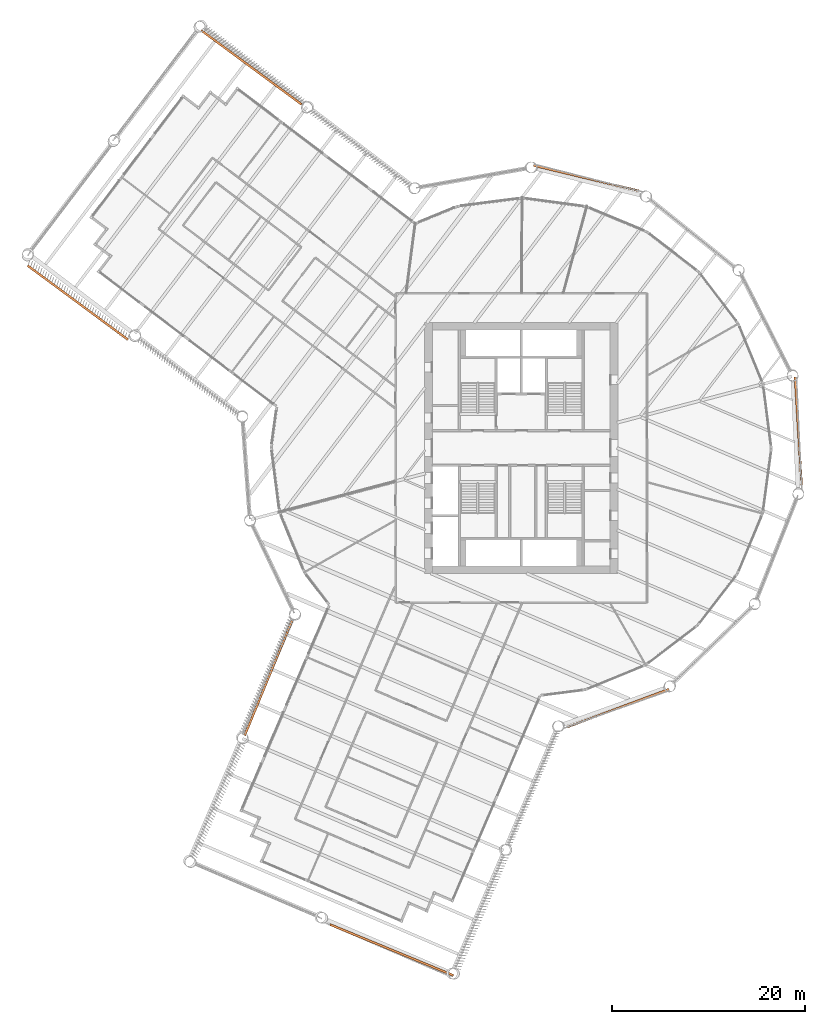
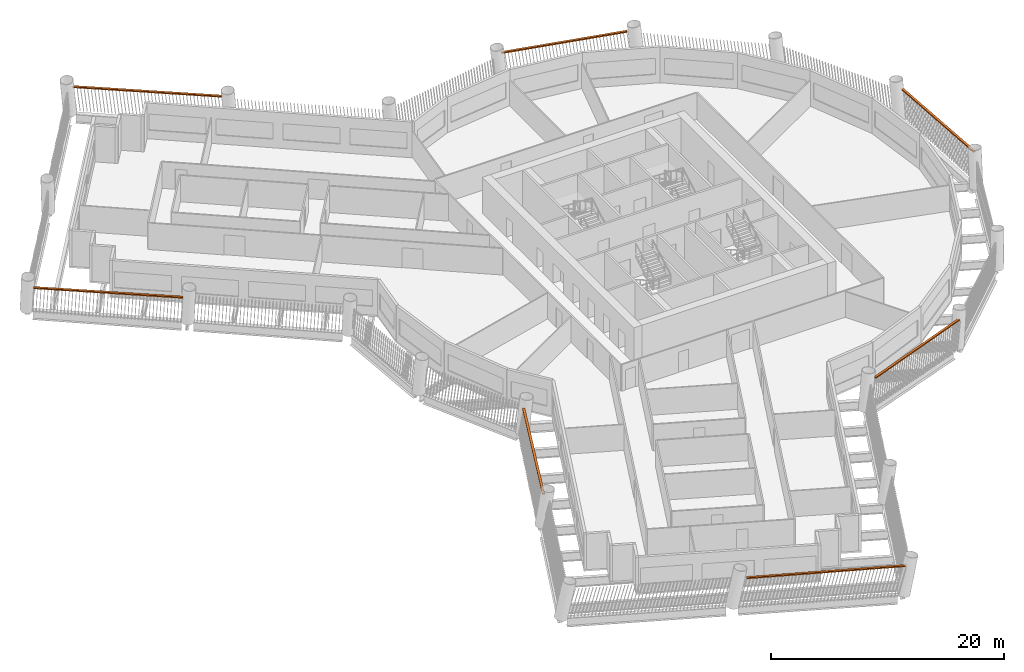
# One storey, part 16 of 16: 7 proxies.
"""IFC4 building model written with IfcOpenShell, lengths in metres."""

from ifc_helpers import new_model, si_unit, direction, frame, origin, origin_2d, place, context, subcontext, project, spatial, rectangle, extrude, material, type_object, element, save


model = new_model("IFC4")

# Units and contexts
model_context = context("Model", 3, precision=1e-05, world=origin(), true_north=direction((0.0, 1.0)))
body_context = subcontext(model_context, "Body", "Model", "MODEL_VIEW")
ifc_project = project(units=[si_unit("LENGTHUNIT", "METRE"), si_unit("AREAUNIT", "SQUARE_METRE"), si_unit("VOLUMEUNIT", "CUBIC_METRE"), si_unit("PLANEANGLEUNIT", "RADIAN"), si_unit("MASSUNIT", "GRAM", prefix="KILO")], contexts=[model_context])

# Site, building, storey
site_placement = place(None, origin())
site = spatial("IfcSite", under=ifc_project, at=site_placement, CompositionType="ELEMENT")
building_placement = place(site_placement, origin())
building = spatial("IfcBuilding", under=site, at=building_placement, Name="Tarsis Ring Headquarters", CompositionType="ELEMENT")
storey_placement = place(building_placement, frame((0.0, 0.0, 120.10009765625)))
storey = spatial("IfcBuildingStorey", under=building, at=storey_placement, Name="L27", CompositionType="ELEMENT", Elevation=120.10009765625)

# Proxies
ifc_material = material(Name="Structural steel S355", Category="steel")
building_element_proxy_type = type_object("IfcBuildingElementProxyType", Name="Screen bracket plate", PredefinedType="USERDEFINED", material=ifc_material)
proxy_1_placement = place(storey_placement, frame((-26.15625, -23.77294921875, 2.952392578125), z_axis=(0.0, 0.0, 1.0), x_axis=(-0.38107037635, -0.924546033612, 0.0)))
element("IfcBuildingElementProxy", 1, at=proxy_1_placement, inside=storey, type_object=building_element_proxy_type, Name="Screen bracket L27-01", ObjectType="Bracket", PredefinedType="USERDEFINED", context=body_context, shape_type="SweptSolid", body=[
    extrude(rectangle(XDim=12.90234375, YDim=0.222900390625, at=origin_2d()), origin(), (0.0, 0.0, 1.0), 0.1201171875),
])
proxy_2_placement = place(storey_placement, frame((-13.402099609375, -51.93505859375, 2.952392578125), z_axis=(0.0, 0.0, 1.0), x_axis=(0.92454602031, -0.381070408623, 0.0)))
element("IfcBuildingElementProxy", 2, at=proxy_2_placement, inside=storey, type_object=building_element_proxy_type, Name="Screen bracket L27-04", ObjectType="Bracket", PredefinedType="USERDEFINED", context=body_context, shape_type="SweptSolid", body=[
    extrude(rectangle(XDim=13.800048828125, YDim=0.222900390625, at=origin_2d()), origin(), (0.0, 0.0, 1.0), 0.1201171875),
])
for number, where, z_axis, x_axis, name in (
    (3, (10.01123046875, -26.917724609375, 2.952392578125), (0.0, 0.0, 1.0), (0.93727422642, 0.348592920881, 0.0), "Screen bracket L27-07"),
    (4, (28.667724609375, 1.717529296875, 2.952392578125), (0.0, 0.0, 1.0), (-0.059807369558, 0.998209937111, 0.0), "Screen bracket L27-10"),
    (5, (6.7255859375, 27.92041015625, 2.952392578125), (0.0, 0.0, 1.0), (-0.972191292448, 0.234188152751, 0.0), "Screen bracket L27-13"),
):
    element("IfcBuildingElementProxy", number, at=place(storey_placement, frame(where, z_axis=z_axis, x_axis=x_axis)), inside=storey, type_object=building_element_proxy_type, Name=name, ObjectType="Bracket", PredefinedType="USERDEFINED", context=body_context, shape_type="SweptSolid", body=[
        extrude(rectangle(XDim=11.248779296875, YDim=0.222900390625, at=origin_2d()), origin(), (0.0, 0.0, 1.0), 0.1201171875),
    ])
for number, where, z_axis, x_axis, name in (
    (6, (-27.928955078125, 39.38037109375, 2.952392578125), (0.0, 0.0, 1.0), (-0.804893766285, 0.593418928748, 0.0), "Screen bracket L27-16"),
    (7, (-45.878173828125, 15.03466796875, 2.952392578125), (0.0, 0.0, 1.0), (0.804893807713, -0.593418872556, 0.0), "Screen bracket L27-19"),
):
    element("IfcBuildingElementProxy", number, at=place(storey_placement, frame(where, z_axis=z_axis, x_axis=x_axis)), inside=storey, type_object=building_element_proxy_type, Name=name, ObjectType="Bracket", PredefinedType="USERDEFINED", context=body_context, shape_type="SweptSolid", body=[
        extrude(rectangle(XDim=12.90234375, YDim=0.222900390625, at=origin_2d()), origin(), (0.0, 0.0, 1.0), 0.1201171875),
    ])

save(model, "model.ifc")
